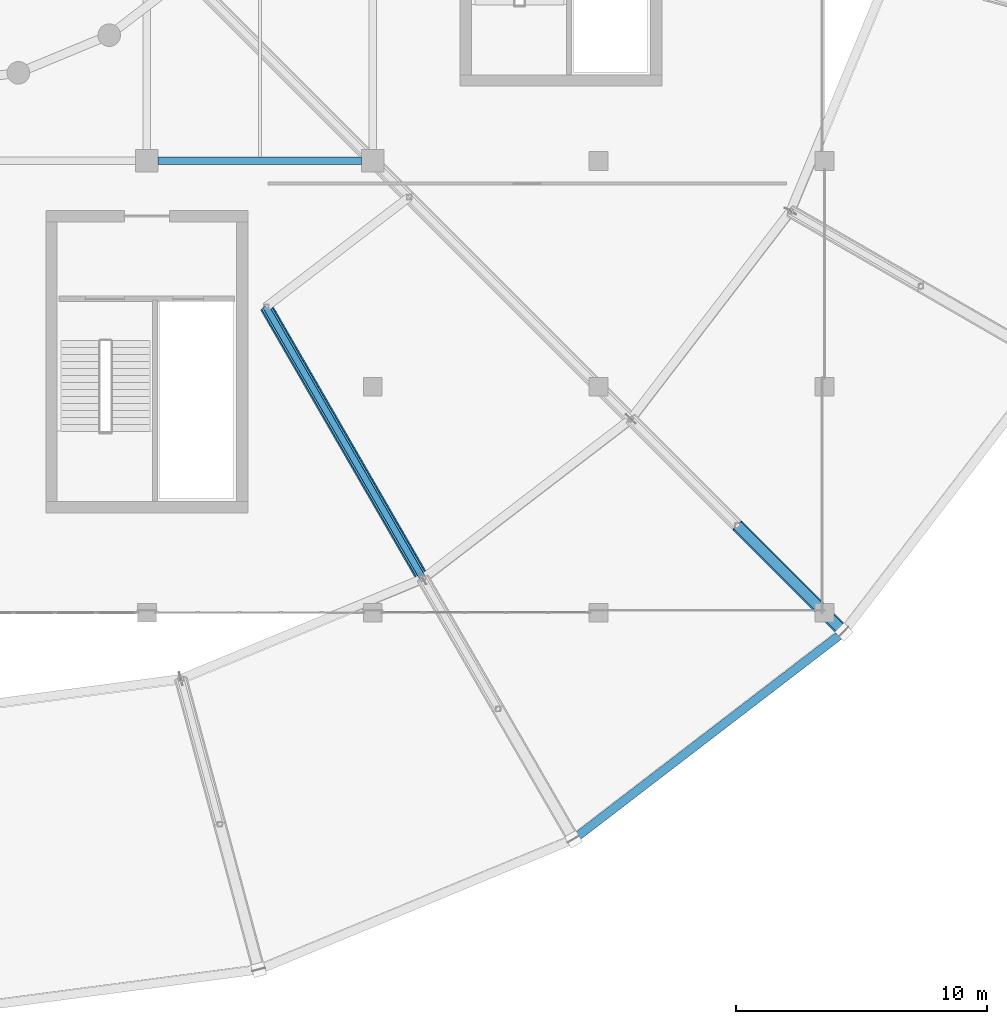
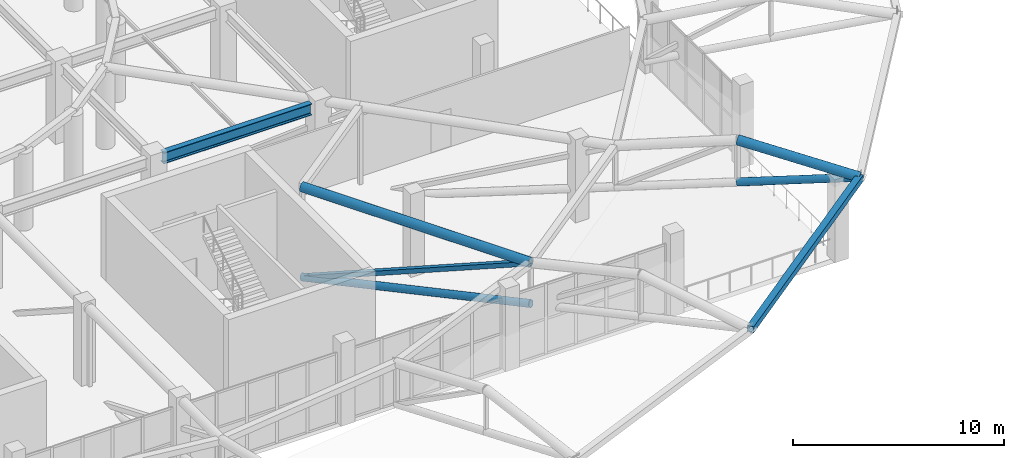
# One storey, part 35 of 167: 6 members, 1 beam.
"""IFC4 building model written with IfcOpenShell, lengths in metres."""

from ifc_helpers import new_model, si_unit, direction, frame, origin, origin_2d, place, context, subcontext, project, spatial, hollow_rectangle, hollow_circle, i_section, extrude, material, material_profile, profile_set, type_object, element, save


model = new_model("IFC4")

# Units and contexts
model_context = context("Model", 3, precision=1e-05, world=origin(), true_north=direction((0.0, 1.0)))
body_context = subcontext(model_context, "Body", "Model", "MODEL_VIEW")
ifc_project = project(units=[si_unit("LENGTHUNIT", "METRE"), si_unit("AREAUNIT", "SQUARE_METRE"), si_unit("VOLUMEUNIT", "CUBIC_METRE"), si_unit("PLANEANGLEUNIT", "RADIAN"), si_unit("MASSUNIT", "GRAM", prefix="KILO")], contexts=[model_context])

# Site, building, storey
site_placement = place(None, origin())
site = spatial("IfcSite", under=ifc_project, at=site_placement, CompositionType="ELEMENT")
building_placement = place(site_placement, origin())
building = spatial("IfcBuilding", under=site, at=building_placement, Name="Dornveld Trade and Exhibition Forum", CompositionType="ELEMENT")
storey_placement = place(building_placement, frame((0.0, 0.0, 16.800048828125)))
storey = spatial("IfcBuildingStorey", under=building, at=storey_placement, Name="L03", CompositionType="ELEMENT", Elevation=16.800048828125)

# Beam
ifc_material_1 = material(Name="Steel S355J2", Category="steel")
ifc_material_profile_1 = material_profile(ifc_material_1, i_section(OverallWidth=0.300048828125, OverallDepth=0.64990234375, WebThickness=0.01611328125, FlangeThickness=0.031005859375, FilletRadius=0.027099609375, at=origin_2d()), Name="HEB 650")
ifc_profile_set_1 = profile_set([ifc_material_profile_1], Name="Steel S355J2")
beam_type = type_object("IfcBeamType", Name="BM-GIR-HEB650", PredefinedType="USERDEFINED", material=ifc_profile_set_1)
beam_placement = place(storey_placement, frame((126.446044921875, 63.0, 4.15283203125), z_axis=(1.0, 0.0, 0.0), x_axis=(0.0, 1.0, 0.0)))
element("IfcBeam", 1, at=beam_placement, inside=storey, type_object=beam_type, Name="L03 X-girder 1653", ObjectType="GIRDER", PredefinedType="USERDEFINED", context=body_context, shape_type="SweptSolid", body=[
    extrude(i_section(OverallWidth=0.300048828125, OverallDepth=0.64990234375, WebThickness=0.01611328125, FlangeThickness=0.031005859375, FilletRadius=0.027099609375, at=origin_2d()), origin(), (0.0, 0.0, 1.0), 8.10791015625),
])

# Members
ifc_material_2 = material(Name="Steel S355J2", Category="steel")
ifc_material_profile_2 = material_profile(ifc_material_2, hollow_circle(Radius=0.203125, WallThickness=0.02001953125, at=origin_2d()), Name="CHS 406.4x20")
ifc_profile_set_2 = profile_set([ifc_material_profile_2], Name="Steel S355J2")
member_type_1 = type_object("IfcMemberType", Name="MEM-DISC-BC", PredefinedType="CHORD", material=ifc_profile_set_2)
member_1_placement = place(storey_placement, frame((130.75, 57.184326171875, -0.76220703125), z_axis=(0.487587944083, -0.844536602678, 0.22139540086), x_axis=(0.86602784187, 0.499995777088, 0.0)))
element("IfcMember", 2, at=member_1_placement, inside=storey, type_object=member_type_1, Name="Roof disc radial R21 conical bottom chord 2", PredefinedType="CHORD", context=body_context, shape_type="SweptSolid", body=[
    extrude(hollow_circle(Radius=0.203125, WallThickness=0.02001953125, at=origin_2d()), origin(), (0.0, 0.0, 1.0), 12.818115234375),
])
member_2_placement = place(storey_placement, frame((149.52685546875, 48.47314453125, 3.437744140625), z_axis=(0.68955639355, -0.68955639355, 0.221413550236), x_axis=(0.707106781187, 0.707106781187, 0.0)))
element("IfcMember", 3, at=member_2_placement, inside=storey, type_object=member_type_1, Name="Roof disc radial R22 conical bottom chord 4", PredefinedType="CHORD", context=body_context, shape_type="SweptSolid", body=[
    extrude(hollow_circle(Radius=0.203125, WallThickness=0.02001953125, at=origin_2d()), origin(), (0.0, 0.0, 1.0), 6.15283203125),
])
ifc_material_3 = material(Name="Steel S355J2", Category="steel")
ifc_material_profile_3 = material_profile(ifc_material_3, hollow_rectangle(XDim=0.35009765625, YDim=0.35009765625, WallThickness=0.01611328125, at=origin_2d()), Name="SHS 350x350x16")
ifc_profile_set_3 = profile_set([ifc_material_profile_3], Name="Steel S355J2")
member_type_2 = type_object("IfcMemberType", Name="MEM-DISC-RING", PredefinedType="CHORD", material=ifc_profile_set_3)
member_3_placement = place(storey_placement, frame((143.0, 35.966796875, 4.800048828125), z_axis=(0.79335619014, 0.608757714995, 0.0), x_axis=(-0.608757714995, 0.79335619014, 0.0)))
element("IfcMember", 4, at=member_3_placement, inside=storey, type_object=member_type_2, Name="Roof disc ring 4 chord 21", PredefinedType="CHORD", context=body_context, shape_type="SweptSolid", body=[
    extrude(hollow_rectangle(XDim=0.35009765625, YDim=0.35009765625, WallThickness=0.01611328125, at=origin_2d()), origin(), (0.0, 0.0, 1.0), 13.57470703125),
])
ifc_material_4 = material(Name="Steel S355J2", Category="steel")
ifc_material_profile_4 = material_profile(ifc_material_4, hollow_circle(Radius=0.25390625, WallThickness=0.02490234375, at=origin_2d()), Name="CHS 508x25")
ifc_profile_set_4 = profile_set([ifc_material_profile_4], Name="Steel S355J2")
member_type_3 = type_object("IfcMemberType", Name="MEM-DISC-TC", PredefinedType="CHORD", material=ifc_profile_set_4)
member_4_placement = place(storey_placement, frame((130.75, 57.184326171875, 4.449951171875), z_axis=(0.499995777088, -0.86602784187, 0.0), x_axis=(0.86602784187, 0.499995777088, 0.0)))
element("IfcMember", 5, at=member_4_placement, inside=storey, type_object=member_type_3, Name="Roof disc radial R21 top chord 2", PredefinedType="CHORD", context=body_context, shape_type="SweptSolid", body=[
    extrude(hollow_circle(Radius=0.25390625, WallThickness=0.02490234375, at=origin_2d()), origin(), (0.0, 0.0, 1.0), 12.5),
])
member_5_placement = place(storey_placement, frame((149.52685546875, 48.47314453125, 5.875), z_axis=(0.696024764871, -0.696024764871, -0.176349236951), x_axis=(0.707106781187, 0.707106781187, 0.0)))
element("IfcMember", 6, at=member_5_placement, inside=storey, type_object=member_type_3, Name="Roof disc radial R22 top chord 4", PredefinedType="CHORD", context=body_context, shape_type="SweptSolid", body=[
    extrude(hollow_circle(Radius=0.25390625, WallThickness=0.02490234375, at=origin_2d()), origin(), (0.0, 0.0, 1.0), 6.095703125),
])
ifc_material_5 = material(Name="Steel S355J2", Category="steel")
ifc_material_profile_5 = material_profile(ifc_material_5, hollow_rectangle(XDim=0.25, YDim=0.25, WallThickness=0.012451171875, at=origin_2d()), Name="SHS 250x250x12.5")
ifc_profile_set_5 = profile_set([ifc_material_profile_5], Name="Steel S355J2")
member_type_4 = type_object("IfcMemberType", Name="MEM-DISC-WEB", PredefinedType="BRACE", material=ifc_profile_set_5)
member_6_placement = place(storey_placement, frame((130.75, 57.184326171875, -0.76220703125), z_axis=(0.46148499155, -0.799324453528, 0.384853245492), x_axis=(0.86602784187, 0.499995777088, 0.0)))
element("IfcMember", 7, at=member_6_placement, inside=storey, type_object=member_type_4, Name="Roof disc radial R21 web 2", PredefinedType="BRACE", context=body_context, shape_type="SweptSolid", body=[
    extrude(hollow_rectangle(XDim=0.25, YDim=0.25, WallThickness=0.012451171875, at=origin_2d()), origin(), (0.0, 0.0, 1.0), 13.543212890625),
])

save(model, "model.ifc")
